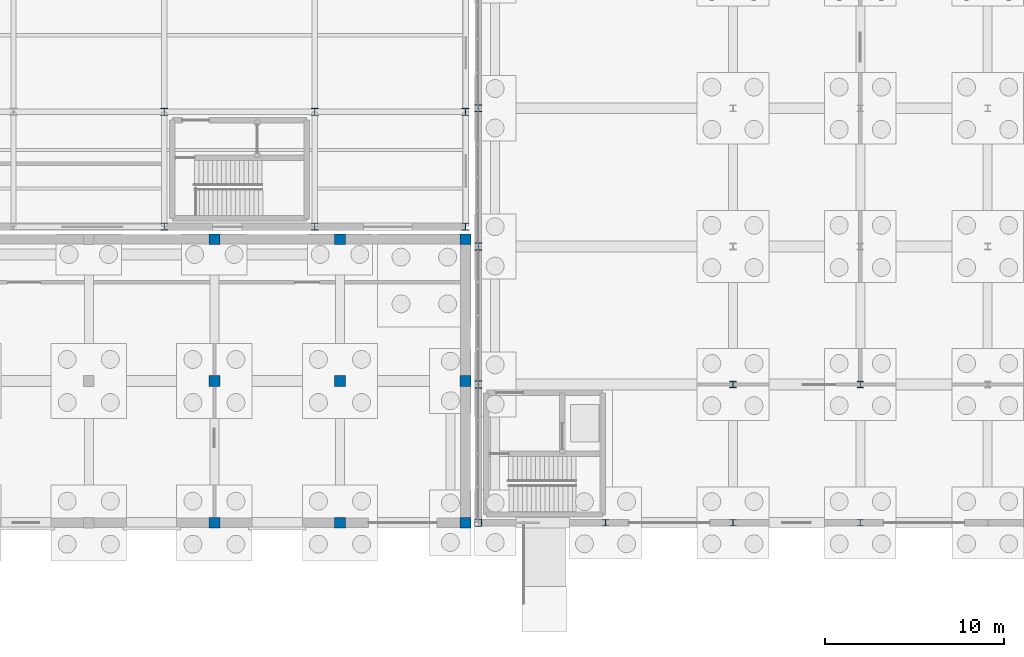
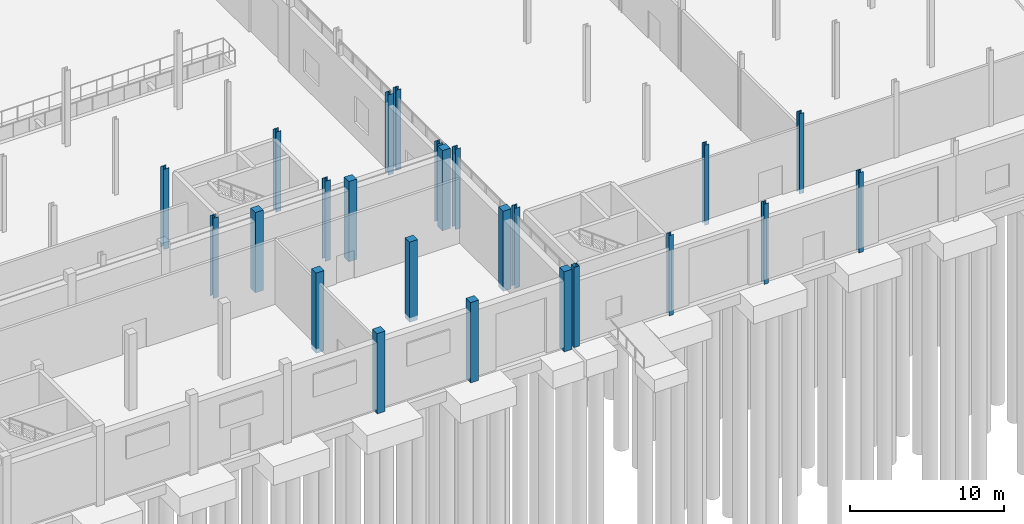
# One storey, part 31 of 139: 24 columns.
"""IFC4 building model written with IfcOpenShell, lengths in metres."""

import ifcopenshell
import ifcopenshell.guid

model = None  # the IFC model being written
_history = None  # IfcOwnerHistory: only IFC2X3 demands one
_inside = {}  # id of a spatial element -> (the spatial element, [elements in it])
_under = {}  # id of a project, library or spatial element -> (it, [spatial elements below it])
_declared = {}  # id of a project -> (the project, [libraries it declares])
_typed = {}  # id of a type object -> (the type object, [elements of that type])
_made_of = {}  # id of a material, layer set ... -> (it, [elements and type objects made of it])


def new_model(schema):
    """Start an empty IFC model of exactly this schema.

    Asked for "IFC4X3", IfcOpenShell would pick the latest addendum, in which some entities
    have other attributes; the version numbers below select the first issue.
    IFC2X3 requires an IfcOwnerHistory on every rooted entity: one is made here for all.
    """
    global model, _history
    if schema == "IFC4X3":
        model = ifcopenshell.file(schema_version=(4, 3, 0, 0))
    else:
        model = ifcopenshell.file(schema=schema)
    _inside.clear()
    _under.clear()
    _declared.clear()
    _typed.clear()
    _made_of.clear()
    _history = None
    if model.schema == "IFC2X3":
        org = make("IfcOrganization", Name="unknown")
        user = make(
            "IfcPersonAndOrganization",
            ThePerson=make("IfcPerson", FamilyName="unknown"),
            TheOrganization=org,
        )
        app = make(
            "IfcApplication",
            ApplicationDeveloper=org,
            Version="unknown",
            ApplicationFullName="unknown",
            ApplicationIdentifier="unknown",
        )
        _history = make(
            "IfcOwnerHistory",
            OwningUser=user,
            OwningApplication=app,
            ChangeAction="ADDED",
            CreationDate=0,
        )
    return model


def make(cls, **values):
    """One entity of the class cls with the attributes given. An attribute that is None is left unset."""
    return model.create_entity(
        cls, **{name: value for name, value in values.items() if value is not None}
    )


def rooted(cls, **values):
    """An entity with a GlobalId (a new one), such as an element, a storey or a relation."""
    return make(cls, GlobalId=ifcopenshell.guid.new(), OwnerHistory=_history, **values)


def si_unit(unit_type, name, prefix=None):
    """IfcSIUnit, for example si_unit("LENGTHUNIT", "METRE", prefix="MILLI")."""
    return make("IfcSIUnit", UnitType=unit_type, Prefix=prefix, Name=name)


def assignment(units):
    """IfcUnitAssignment: the units of a project."""
    return None if units is None else make("IfcUnitAssignment", Units=units)


def point(xyz):
    """IfcCartesianPoint."""
    return None if xyz is None else make("IfcCartesianPoint", Coordinates=xyz)


def direction(xyz):
    """IfcDirection."""
    return None if xyz is None else make("IfcDirection", DirectionRatios=xyz)


def frame(location, z_axis=None, x_axis=None):
    """IfcAxis2Placement3D, a coordinate frame: its origin and axes. An axis left out is left unset."""
    return make(
        "IfcAxis2Placement3D",
        Location=point(location),
        Axis=direction(z_axis),
        RefDirection=direction(x_axis),
    )


def frame_2d(location, x_axis=None):
    """IfcAxis2Placement2D, a coordinate frame in the plane: its origin and x axis."""
    return make(
        "IfcAxis2Placement2D", Location=point(location), RefDirection=direction(x_axis)
    )


def origin():
    """The frame at (0, 0, 0) with its axes left unset."""
    return frame((0.0, 0.0, 0.0))


def origin_2d():
    """The frame at (0, 0) in the plane with its x axis left unset."""
    return frame_2d((0.0, 0.0))


def place(relative_to, where):
    """IfcLocalPlacement: puts the frame where relative to a parent placement (None: the world)."""
    return make(
        "IfcLocalPlacement", PlacementRelTo=relative_to, RelativePlacement=where
    )


def context(
    kind, dimensions, precision=None, world=None, true_north=None, identifier=None
):
    """IfcGeometricRepresentationContext, for example the 3D "Model" context."""
    return make(
        "IfcGeometricRepresentationContext",
        ContextIdentifier=identifier,
        ContextType=kind,
        CoordinateSpaceDimension=dimensions,
        Precision=precision,
        WorldCoordinateSystem=world,
        TrueNorth=true_north,
    )


def subcontext(parent, identifier, kind, view, scale=None):
    """IfcGeometricRepresentationSubContext, for example "Body" below "Model"."""
    return make(
        "IfcGeometricRepresentationSubContext",
        ContextIdentifier=identifier,
        ContextType=kind,
        ParentContext=parent,
        TargetScale=scale,
        TargetView=view,
    )


def project(units=None, contexts=None):
    """IfcProject with its units and contexts."""
    return rooted(
        "IfcProject",
        Name="project",
        RepresentationContexts=contexts,
        UnitsInContext=assignment(units),
    )


def spatial(cls, under=None, at=None, **own):
    """A site, building, storey or space (cls), placed at a placement, below another one or the project."""
    s = rooted(cls, ObjectPlacement=at, **own)
    if under is not None:
        _under.setdefault(under.id(), (under, []))[1].append(s)
    return s


def profile(cls, at=None, kind="AREA", **sizes):
    """A parametric profile (cls). Its sizes go by their IFC names, for example OverallWidth=200.0."""
    return make(cls, ProfileType=kind, Position=at, **sizes)


def rectangle(**sizes):
    """IfcRectangleProfileDef."""
    return profile("IfcRectangleProfileDef", **sizes)


def hollow_rectangle(**sizes):
    """IfcRectangleHollowProfileDef."""
    return profile("IfcRectangleHollowProfileDef", **sizes)


def i_section(**sizes):
    """IfcIShapeProfileDef."""
    return profile("IfcIShapeProfileDef", **sizes)


def extrude(swept, where, along, depth):
    """IfcExtrudedAreaSolid: the profile swept, set in the frame where, extruded along a direction by depth."""
    return make(
        "IfcExtrudedAreaSolid",
        SweptArea=swept,
        Position=where,
        ExtrudedDirection=direction(along),
        Depth=depth,
    )


def shape(context_of_items, identifier, shape_type, items):
    """IfcShapeRepresentation: the items that make up one representation, for example the "Body"."""
    return make(
        "IfcShapeRepresentation",
        ContextOfItems=context_of_items,
        RepresentationIdentifier=identifier,
        RepresentationType=shape_type,
        Items=items,
    )


def material(Name=None, Category=None):
    """IfcMaterial."""
    return make("IfcMaterial", Name=Name, Category=Category)


def material_profile(
    of_material, cross_section, Name=None, Category=None, Priority=None
):
    """IfcMaterialProfile: a cross section and its material."""
    return make(
        "IfcMaterialProfile",
        Name=Name,
        Material=of_material,
        Profile=cross_section,
        Priority=Priority,
        Category=Category,
    )


def profile_set(profiles, Name=None, composite=None):
    """IfcMaterialProfileSet."""
    return make(
        "IfcMaterialProfileSet",
        Name=Name,
        MaterialProfiles=profiles,
        CompositeProfile=composite,
    )


def made_of(thing, what):
    """Note that an element or type object is made of a material, layer set ...; save() writes the relation."""
    if what is not None:
        _made_of.setdefault(what.id(), (what, []))[1].append(thing)
    return thing


def type_object(cls, material=None, **own):
    """A type object (cls), such as IfcWallType, which elements share."""
    return made_of(rooted(cls, **own), material)


def element(
    cls,
    number,
    at=None,
    inside=None,
    cuts=None,
    type_object=None,
    material=None,
    context=None,
    identifier="Body",
    shape_type=None,
    held_by="IfcProductDefinitionShape",
    body=None,
    shapes=None,
    **own,
):
    """One element of the class cls, such as IfcWall. Its Tag is "e" and its number.

    at: its placement. inside: the storey or other place that contains it. cuts: it is an
    opening in that element (IfcRelVoidsElement). A single representation is given by context,
    identifier, shape_type and body (its items); several are given by shapes. held_by: the class
    of the entity that holds the representations. save() writes the other relations.
    """
    e = rooted(cls, Tag="e%d" % number, ObjectPlacement=at, **own)
    if body is not None:
        shapes = [shape(context, identifier, shape_type, body)]
    if shapes is not None:
        e.Representation = make(held_by, Representations=shapes)
    if inside is not None:
        _inside.setdefault(inside.id(), (inside, []))[1].append(e)
    if cuts is not None:
        rooted(
            "IfcRelVoidsElement", RelatingBuildingElement=cuts, RelatedOpeningElement=e
        )
    if type_object is not None:
        _typed.setdefault(type_object.id(), (type_object, []))[1].append(e)
    return made_of(e, material)


def aggregate(whole, parts):
    """IfcRelAggregates: a whole, such as a stair, and the parts it consists of."""
    return rooted("IfcRelAggregates", RelatingObject=whole, RelatedObjects=parts)


def save(model, path):
    """Write the relations noted so far, then the file.

    IfcRelAggregates (storeys below a building ...), IfcRelContainedInSpatialStructure (elements
    in a storey), IfcRelDefinesByType, IfcRelAssociatesMaterial and IfcRelDeclares: one each for
    every whole, place, type object, material and project.
    """
    for whole, parts in _under.values():
        aggregate(whole, parts)
    for where, things in _inside.values():
        rooted(
            "IfcRelContainedInSpatialStructure",
            RelatedElements=things,
            RelatingStructure=where,
        )
    for kind, things in _typed.values():
        rooted("IfcRelDefinesByType", RelatedObjects=things, RelatingType=kind)
    for what, things in _made_of.values():
        rooted("IfcRelAssociatesMaterial", RelatedObjects=things, RelatingMaterial=what)
    for by, libraries in _declared.values():
        rooted("IfcRelDeclares", RelatingContext=by, RelatedDefinitions=libraries)
    model.write(path)


model = new_model("IFC4")

# Units and contexts
model_context = context("Model", 3, precision=1e-05, world=origin(), true_north=direction((0.0, 1.0)))
body_context = subcontext(model_context, "Body", "Model", "MODEL_VIEW")
ifc_project = project(units=[si_unit("LENGTHUNIT", "METRE"), si_unit("AREAUNIT", "SQUARE_METRE"), si_unit("VOLUMEUNIT", "CUBIC_METRE"), si_unit("PLANEANGLEUNIT", "RADIAN"), si_unit("MASSUNIT", "GRAM", prefix="KILO")], contexts=[model_context])

# Site, building, storey
site_placement = place(None, origin())
site = spatial("IfcSite", under=ifc_project, at=site_placement, CompositionType="ELEMENT")
building_placement = place(site_placement, origin())
building = spatial("IfcBuilding", under=site, at=building_placement, Name="Kazenagashi Tramway Depot", CompositionType="ELEMENT")
storey_placement = place(building_placement, origin())
storey = spatial("IfcBuildingStorey", under=building, at=storey_placement, Name="L01", CompositionType="ELEMENT", Elevation=0.0)

# Columns
ifc_material_1 = material(Name="Concrete Fc36", Category="concrete")
ifc_material_profile_1 = material_profile(ifc_material_1, rectangle(XDim=0.6, YDim=0.6, at=origin_2d()), Name="RC-600x600")
ifc_profile_set_1 = profile_set([ifc_material_profile_1], Name="Concrete Fc36")
column_type_1 = type_object("IfcColumnType", Name="C-02", PredefinedType="COLUMN", material=ifc_profile_set_1)
for number, where, z_axis, x_axis, name in (
    (1, (131.6, 0.0, -0.35), (0.0, 0.0, 1.0), (1.0, 0.0, 0.0), "Column C-02 COL-0830"),
    (2, (131.6, 7.9, -0.35), (0.0, 0.0, 1.0), (1.0, 0.0, 0.0), "Column C-02 COL-0832"),
    (3, (131.6, 15.8, -0.35), (0.0, 0.0, 1.0), (1.0, 0.0, 0.0), "Column C-02 COL-0834"),
    (4, (138.6, 0.0, -0.35), (0.0, 0.0, 1.0), (1.0, 0.0, 0.0), "Column C-02 COL-0836"),
    (5, (138.6, 7.9, -0.35), (0.0, 0.0, 1.0), (1.0, 0.0, 0.0), "Column C-02 COL-0838"),
    (6, (138.6, 15.8, -0.35), (0.0, 0.0, 1.0), (1.0, 0.0, 0.0), "Column C-02 COL-0840"),
    (7, (145.6, 0.0, -0.35), (0.0, 0.0, 1.0), (1.0, 0.0, 0.0), "Column C-02 COL-0842"),
    (8, (145.6, 7.9, -0.35), (0.0, 0.0, 1.0), (1.0, 0.0, 0.0), "Column C-02 COL-0844"),
    (9, (145.6, 15.8, -0.35), (0.0, 0.0, 1.0), (1.0, 0.0, 0.0), "Column C-02 COL-0846"),
):
    element("IfcColumn", number, at=place(storey_placement, frame(where, z_axis=z_axis, x_axis=x_axis)), inside=storey, type_object=column_type_1, Name=name, PredefinedType="COLUMN", context=body_context, shape_type="SweptSolid", body=[
        extrude(rectangle(XDim=0.6, YDim=0.6, at=origin_2d()), origin(), (0.0, 0.0, 1.0), 6.35),
    ])
ifc_material_2 = material(Name="Steel SN490B", Category="steel")
ifc_material_profile_2 = material_profile(ifc_material_2, i_section(OverallWidth=0.4, OverallDepth=0.4, WebThickness=0.013, FlangeThickness=0.021, at=origin_2d()), Name="H-400x400x13x21")
ifc_profile_set_2 = profile_set([ifc_material_profile_2], Name="Steel SN490B")
column_type_2 = type_object("IfcColumnType", Name="C-03", PredefinedType="COLUMN", material=ifc_profile_set_2)
for number, where, z_axis, x_axis, name in (
    (10, (128.8, 16.5, -0.35), (0.0, 0.0, 1.0), (1.0, 0.0, 0.0), "Column C-03 COL-0314"),
    (11, (128.8, 22.9, -0.35), (0.0, 0.0, 1.0), (1.0, 0.0, 0.0), "Column C-03 COL-0318"),
    (12, (137.2, 16.5, -0.35), (0.0, 0.0, 1.0), (1.0, 0.0, 0.0), "Column C-03 COL-0331"),
    (13, (137.2, 22.9, -0.35), (0.0, 0.0, 1.0), (1.0, 0.0, 0.0), "Column C-03 COL-0335"),
    (14, (145.6, 16.5, -0.35), (0.0, 0.0, 1.0), (1.0, 0.0, 0.0), "Column C-03 COL-0348"),
    (15, (145.6, 22.9, -0.35), (0.0, 0.0, 1.0), (1.0, 0.0, 0.0), "Column C-03 COL-0352"),
    (16, (146.3, 7.7, -0.35), (0.0, 0.0, 1.0), (1.0, 0.0, 0.0), "Column C-03 COL-0366"),
    (17, (146.3, 15.4, -0.35), (0.0, 0.0, 1.0), (1.0, 0.0, 0.0), "Column C-03 COL-0368"),
    (18, (146.3, 23.1, -0.35), (0.0, 0.0, 1.0), (1.0, 0.0, 0.0), "Column C-03 COL-0370"),
):
    element("IfcColumn", number, at=place(storey_placement, frame(where, z_axis=z_axis, x_axis=x_axis)), inside=storey, type_object=column_type_2, Name=name, PredefinedType="COLUMN", context=body_context, shape_type="SweptSolid", body=[
        extrude(i_section(OverallWidth=0.4, OverallDepth=0.4, WebThickness=0.013, FlangeThickness=0.021, at=origin_2d()), origin(), (0.0, 0.0, 1.0), 6.35),
    ])
ifc_material_profile_3 = material_profile(ifc_material_2, i_section(OverallWidth=0.35, OverallDepth=0.35, WebThickness=0.012, FlangeThickness=0.019, at=origin_2d()), Name="H-350x350x12x19")
ifc_profile_set_3 = profile_set([ifc_material_profile_3], Name="Steel SN490B")
column_type_3 = type_object("IfcColumnType", Name="C-04", PredefinedType="COLUMN", material=ifc_profile_set_3)
for number, where, z_axis, x_axis, name in (
    (19, (153.4, 0.0, -0.35), (0.0, 0.0, 1.0), (1.0, 0.0, 0.0), "Column C-04 COL-0389"),
    (20, (160.5, 0.0, -0.35), (0.0, 0.0, 1.0), (1.0, 0.0, 0.0), "Column C-04 COL-0394"),
    (21, (160.5, 7.7, -0.35), (0.0, 0.0, 1.0), (1.0, 0.0, 0.0), "Column C-04 COL-0396"),
    (22, (167.6, 0.0, -0.35), (0.0, 0.0, 1.0), (1.0, 0.0, 0.0), "Column C-04 COL-0419"),
    (23, (167.6, 7.7, -0.35), (0.0, 0.0, 1.0), (1.0, 0.0, 0.0), "Column C-04 COL-0421"),
):
    element("IfcColumn", number, at=place(storey_placement, frame(where, z_axis=z_axis, x_axis=x_axis)), inside=storey, type_object=column_type_3, Name=name, PredefinedType="COLUMN", context=body_context, shape_type="SweptSolid", body=[
        extrude(i_section(OverallWidth=0.35, OverallDepth=0.35, WebThickness=0.012, FlangeThickness=0.019, at=origin_2d()), origin(), (0.0, 0.0, 1.0), 6.35),
    ])
ifc_material_3 = material(Name="Steel STKR490", Category="steel")
ifc_material_profile_4 = material_profile(ifc_material_3, hollow_rectangle(XDim=0.4, YDim=0.4, WallThickness=0.016, at=origin_2d()), Name="SHS-400x400x16")
ifc_profile_set_4 = profile_set([ifc_material_profile_4], Name="Steel STKR490")
column_type_4 = type_object("IfcColumnType", Name="C-16", PredefinedType="COLUMN", material=ifc_profile_set_4)
column_placement = place(storey_placement, frame((146.3, 0.0, -0.35), z_axis=(0.0, 0.0, 1.0), x_axis=(1.0, 0.0, 0.0)))
element("IfcColumn", 24, at=column_placement, inside=storey, type_object=column_type_4, Name="Column C-16 COL-0364", PredefinedType="COLUMN", context=body_context, shape_type="SweptSolid", body=[
    extrude(hollow_rectangle(XDim=0.4, YDim=0.4, WallThickness=0.016, at=origin_2d()), origin(), (0.0, 0.0, 1.0), 6.35),
])

save(model, "model.ifc")
